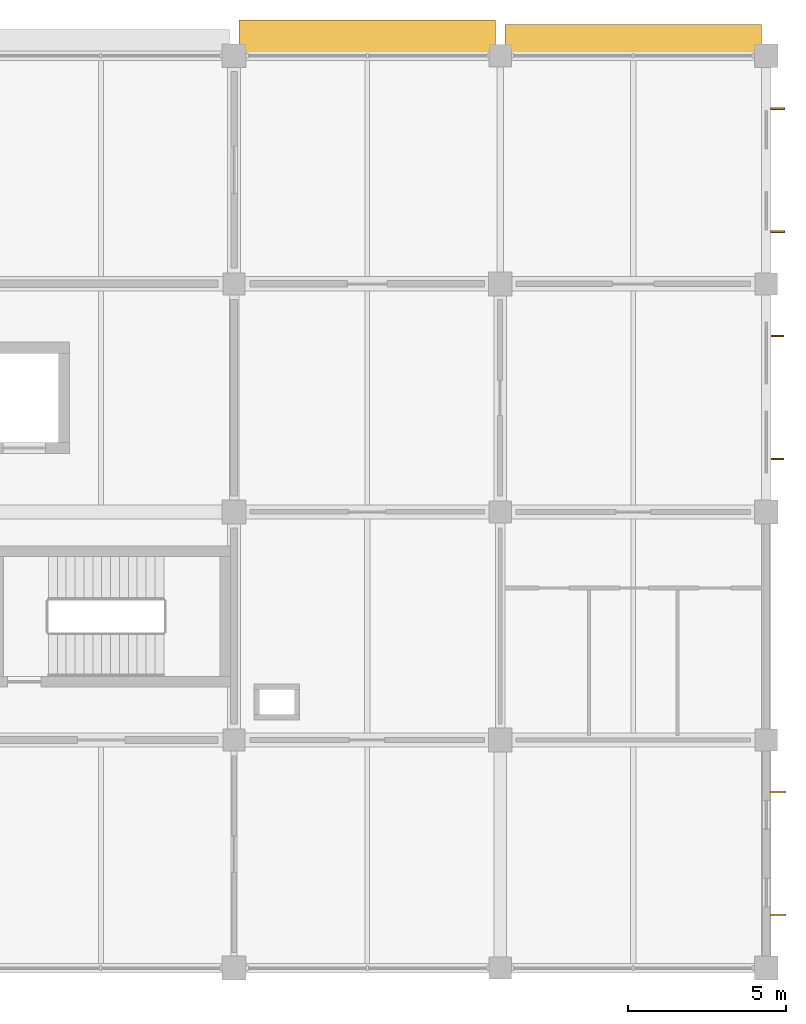
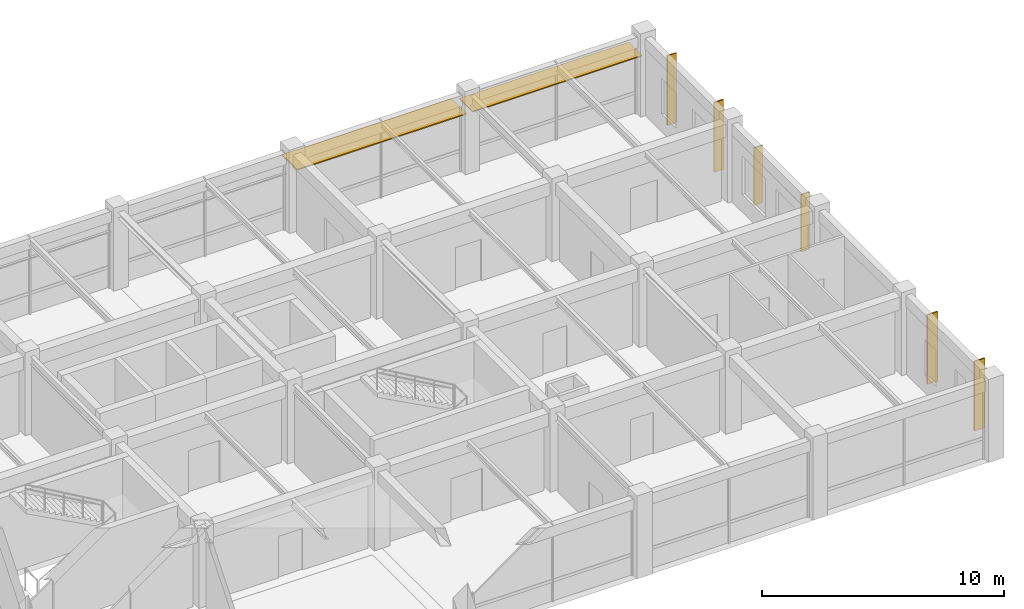
# One storey, part 13 of 13: 8 shading devices.
"""IFC4 building model written with IfcOpenShell, lengths in metres."""

from ifc_helpers import new_model, si_unit, derived_unit, direction, frame, origin, origin_2d, place, context, subcontext, project, spatial, rectangle, extrude, material, layer, layer_set, type_object, element, save


model = new_model("IFC4")

# Units and contexts
model_context = context("Model", 3, precision=1e-05, world=origin(), true_north=direction((0.0, 1.0)))
body_context = subcontext(model_context, "Body", "Model", "MODEL_VIEW")
ifc_project = project(units=[si_unit("LENGTHUNIT", "METRE"), si_unit("AREAUNIT", "SQUARE_METRE"), si_unit("VOLUMEUNIT", "CUBIC_METRE"), si_unit("PLANEANGLEUNIT", "RADIAN"), si_unit("MASSUNIT", "GRAM", prefix="KILO"), derived_unit("THERMALTRANSMITTANCEUNIT", [(si_unit("MASSUNIT", "GRAM", prefix="KILO"), 1), (si_unit("TIMEUNIT", "SECOND"), -3), (si_unit("THERMODYNAMICTEMPERATUREUNIT", "KELVIN"), -1)])], contexts=[model_context])

# Site, building, storey
site_placement = place(None, origin())
site = spatial("IfcSite", under=ifc_project, at=site_placement, CompositionType="ELEMENT")
building_placement = place(site_placement, origin())
building = spatial("IfcBuilding", under=site, at=building_placement, Name="Veldstrom Oceanarium and Marine Research Institute", CompositionType="ELEMENT")
storey_placement = place(building_placement, frame((0.0, 0.0, 31.199951171875)))
storey = spatial("IfcBuildingStorey", under=building, at=storey_placement, Name="L06", CompositionType="ELEMENT", Elevation=31.199951171875)

# Shading devices
ifc_material_1 = material(Name="Precast Terracotta Brise-Soleil Louvre", Category="masonry")
ifc_layer_1 = layer(ifc_material_1, 3.60009765625)
ifc_layer_set_1 = layer_set([ifc_layer_1], Name="ARC-SHD-BS01")
shading_device_type_1 = type_object("IfcShadingDeviceType", Name="ARC-SHD-BS01", PredefinedType="JALOUSIE", material=ifc_layer_set_1)
for number, where, z_axis, x_axis, name in (
    (1, (117.965087890625, 66.445068359375, 0.199951171875), (0.0, 0.0, 1.0), (1.0, 0.0, 0.0), "Terracotta Brise-Soleil Louvre L06-116"),
    (2, (117.965087890625, 70.330078125, 0.199951171875), (0.0, 0.0, 1.0), (1.0, 0.0, 0.0), "Terracotta Brise-Soleil Louvre L06-116"),
):
    element("IfcShadingDevice", number, at=place(storey_placement, frame(where, z_axis=z_axis, x_axis=x_axis)), inside=storey, type_object=shading_device_type_1, Name=name, PredefinedType="JALOUSIE", context=body_context, shape_type="SweptSolid", body=[
        extrude(rectangle(XDim=0.449951171875, YDim=0.06005859375, at=origin_2d()), origin(), (0.0, 0.0, 1.0), 3.52001953125),
    ])
ifc_material_2 = material(Name="Precast Terracotta Brise-Soleil Louvre", Category="masonry")
ifc_layer_2 = layer(ifc_material_2, 4.199951171875)
ifc_layer_set_2 = layer_set([ifc_layer_2], Name="ARC-SHD-BS03")
shading_device_type_2 = type_object("IfcShadingDeviceType", Name="ARC-SHD-BS03", PredefinedType="JALOUSIE", material=ifc_layer_set_2)
for number, where, z_axis, x_axis, name in (
    (3, (117.969970703125, 44.8701171875, 0.199951171875), (0.0, 0.0, 1.0), (1.0, 0.0, 0.0), "Terracotta Brise-Soleil Louvre L06-114"),
    (4, (117.969970703125, 48.7548828125, 0.199951171875), (0.0, 0.0, 1.0), (1.0, 0.0, 0.0), "Terracotta Brise-Soleil Louvre L06-114"),
):
    element("IfcShadingDevice", number, at=place(storey_placement, frame(where, z_axis=z_axis, x_axis=x_axis)), inside=storey, type_object=shading_device_type_2, Name=name, PredefinedType="JALOUSIE", context=body_context, shape_type="SweptSolid", body=[
        extrude(rectangle(XDim=0.5, YDim=0.06494140625, at=origin_2d()), origin(), (0.0, 0.0, 1.0), 3.52001953125),
    ])
ifc_material_3 = material(Name="Precast Terracotta Brise-Soleil Louvre", Category="masonry")
ifc_layer_3 = layer(ifc_material_3, 2.89990234375)
ifc_layer_set_3 = layer_set([ifc_layer_3], Name="ARC-SHD-BS04")
shading_device_type_3 = type_object("IfcShadingDeviceType", Name="ARC-SHD-BS04", PredefinedType="JALOUSIE", material=ifc_layer_set_3)
for number, where, z_axis, x_axis, name in (
    (5, (117.949951171875, 59.27001953125, 0.510009765625), (0.0, 0.0, 1.0), (1.0, 0.0, 0.0), "Terracotta Brise-Soleil Louvre L06-115"),
    (6, (117.949951171875, 63.155029296875, 0.510009765625), (0.0, 0.0, 1.0), (1.0, 0.0, 0.0), "Terracotta Brise-Soleil Louvre L06-115"),
):
    element("IfcShadingDevice", number, at=place(storey_placement, frame(where, z_axis=z_axis, x_axis=x_axis)), inside=storey, type_object=shading_device_type_3, Name=name, PredefinedType="JALOUSIE", context=body_context, shape_type="SweptSolid", body=[
        extrude(rectangle(XDim=0.39990234375, YDim=0.054931640625, at=origin_2d()), origin(), (0.0, 0.0, 1.0), 2.89990234375),
    ])
ifc_material_4 = material(Name="Perforated Anodised Aluminium Louvre", Category="aluminium")
ifc_layer_4 = layer(ifc_material_4, 0.054931640625)
ifc_layer_set_4 = layer_set([ifc_layer_4], Name="ARC-SHD-SH01")
shading_device_type_4 = type_object("IfcShadingDeviceType", Name="ARC-SHD-SH01", PredefinedType="AWNING", material=ifc_layer_set_4)
shading_device_1_placement = place(storey_placement, frame((105.0, 72.5048828125, 2.85009765625), z_axis=(0.0, 0.0, 1.0), x_axis=(1.0, 0.0, 0.0)))
element("IfcShadingDevice", 7, at=shading_device_1_placement, inside=storey, type_object=shading_device_type_4, Name="North Solar Canopy Louvre L06-13", PredefinedType="AWNING", context=body_context, shape_type="SweptSolid", body=[
    extrude(rectangle(XDim=8.10009765625, YDim=1.25, at=origin_2d()), origin(), (0.0, 0.0, 1.0), 0.054931640625),
])
ifc_material_5 = material(Name="Perforated Anodised Aluminium Louvre", Category="aluminium")
ifc_layer_5 = layer(ifc_material_5, 0.050048828125)
ifc_layer_set_5 = layer_set([ifc_layer_5], Name="ARC-SHD-SH02")
shading_device_type_5 = type_object("IfcShadingDeviceType", Name="ARC-SHD-SH02", PredefinedType="AWNING", material=ifc_layer_set_5)
shading_device_2_placement = place(storey_placement, frame((113.39990234375, 72.429931640625, 2.85009765625), z_axis=(0.0, 0.0, 1.0), x_axis=(1.0, 0.0, 0.0)))
element("IfcShadingDevice", 8, at=shading_device_2_placement, inside=storey, type_object=shading_device_type_5, Name="North Solar Canopy Louvre L06-14", PredefinedType="AWNING", context=body_context, shape_type="SweptSolid", body=[
    extrude(rectangle(XDim=8.10009765625, YDim=1.10009765625, at=origin_2d()), origin(), (0.0, 0.0, 1.0), 0.050048828125),
])

save(model, "model.ifc")
